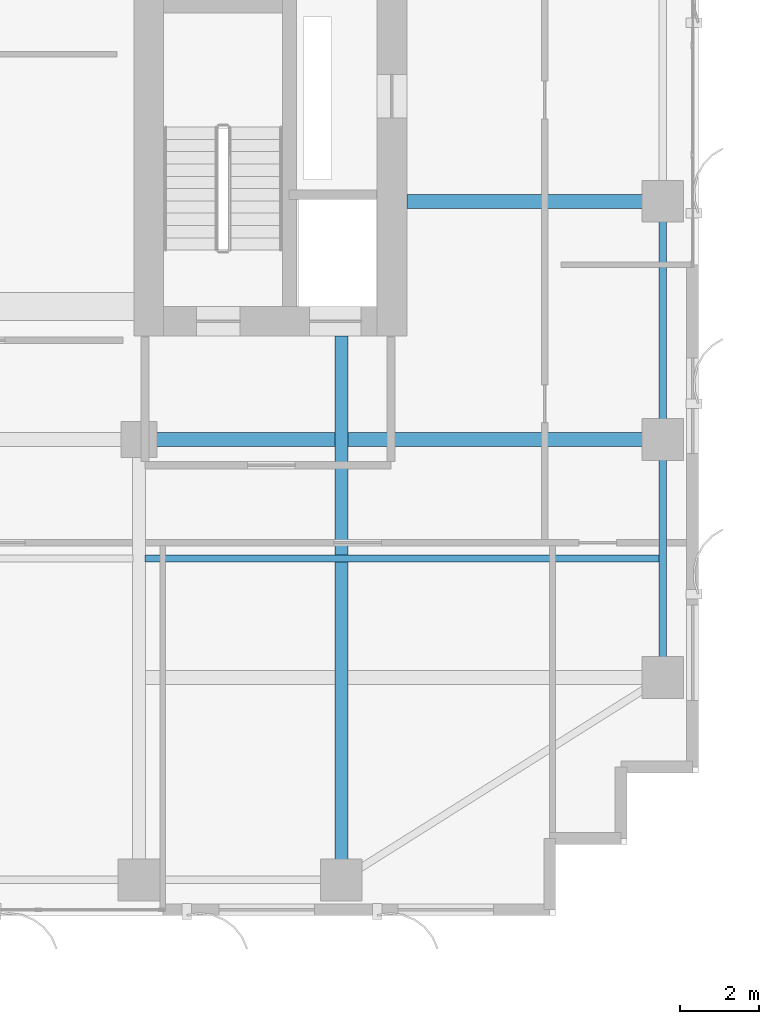
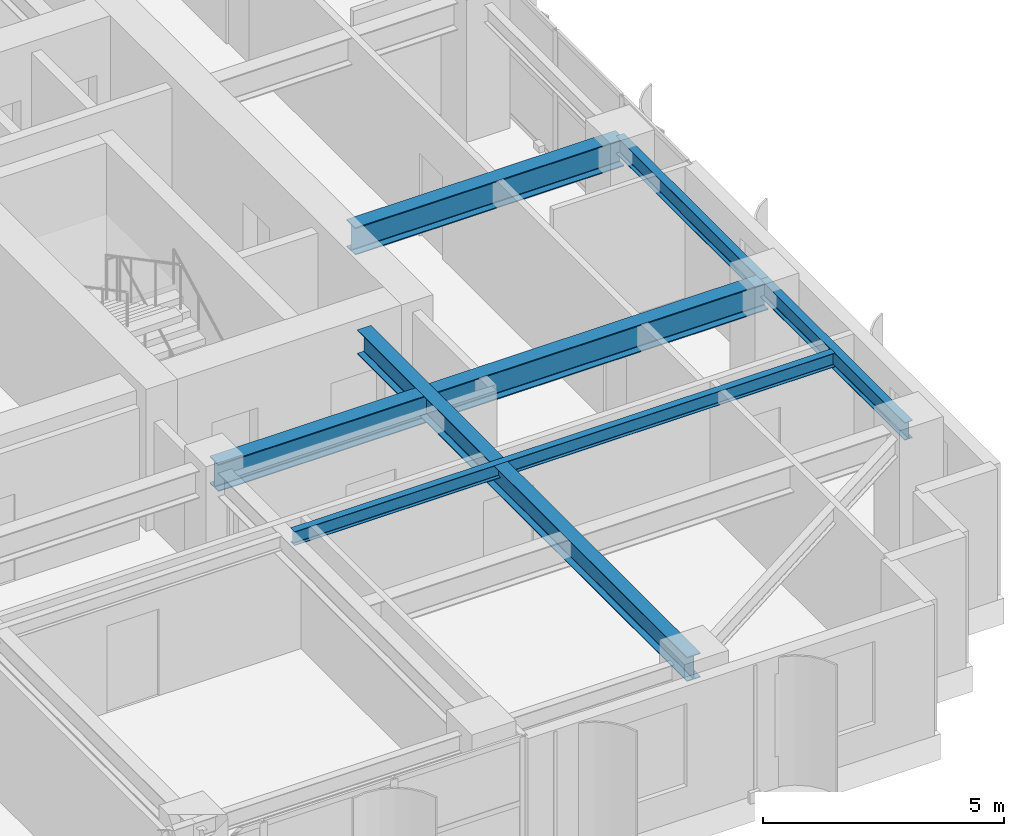
# One storey, part 10 of 23: 6 beams.
"""IFC4 building model written with IfcOpenShell, lengths in metres."""

from ifc_helpers import new_model, si_unit, direction, frame, origin, origin_2d, place, context, subcontext, project, spatial, i_section, extrude, source, transform, mapped, material, material_profile, profile_set, type_object, element, save


model = new_model("IFC4")

# Units and contexts
model_context = context("Model", 3, precision=1e-05, world=origin(), true_north=direction((0.0, 1.0)))
body_context = subcontext(model_context, "Body", "Model", "MODEL_VIEW")
ifc_project = project(units=[si_unit("LENGTHUNIT", "METRE"), si_unit("AREAUNIT", "SQUARE_METRE"), si_unit("VOLUMEUNIT", "CUBIC_METRE"), si_unit("PLANEANGLEUNIT", "RADIAN"), si_unit("MASSUNIT", "GRAM", prefix="KILO")], contexts=[model_context])

# Site, building, storey
site_placement = place(None, origin())
site = spatial("IfcSite", under=ifc_project, at=site_placement, CompositionType="ELEMENT")
building_placement = place(site_placement, origin())
building = spatial("IfcBuilding", under=site, at=building_placement, Name="Khoralis Quay Care Tower", CompositionType="ELEMENT")
storey_placement = place(building_placement, frame((0.0, 0.0, 83.699951171875)))
storey = spatial("IfcBuildingStorey", under=building, at=storey_placement, Name="L21", CompositionType="ELEMENT", Elevation=83.699951171875)

# Beams
ifc_material = material(Name="Steel S355", Category="steel")
ifc_material_profile_1 = material_profile(ifc_material, i_section(OverallWidth=0.18994140625, OverallDepth=0.449951171875, WebThickness=0.009521484375, FlangeThickness=0.0146484375, FilletRadius=0.02099609375, at=origin_2d()), Name="Steel S355")
ifc_profile_set_1 = profile_set([ifc_material_profile_1], Name="Steel S355")
beam_type_1 = type_object("IfcBeamType", Name="BM-IPE450", PredefinedType="SPANDREL", material=ifc_profile_set_1)
shared_shape_1 = source(origin(), body_context, "Body", "SweptSolid", [
    extrude(i_section(OverallWidth=0.18994140625, OverallDepth=0.449951171875, WebThickness=0.009521484375, FlangeThickness=0.0146484375, FilletRadius=0.02099609375, at=origin_2d()), origin(), (0.0, 0.0, 1.0), 6.0),
])
for number, where, z_axis, x_axis, name in (
    (1, (44.10009765625, 6.0, 3.114990234375), (0.0, 1.0, 0.0), (-1.0, 0.0, 0.0), "BM-TSP-L21-16"),
    (2, (44.10009765625, 12.0, 3.114990234375), (0.0, 1.0, 0.0), (-1.0, 0.0, 0.0), "BM-TSP-L21-17"),
):
    element("IfcBeam", number, at=place(storey_placement, frame(where, z_axis=z_axis, x_axis=x_axis)), inside=storey, type_object=beam_type_1, Name=name, PredefinedType="SPANDREL", context=body_context, shape_type="MappedRepresentation", body=[
        mapped(shared_shape_1, transform((0.0, 0.0, 0.0), scale=1.0)),
    ])
ifc_material_profile_2 = material_profile(ifc_material, i_section(OverallWidth=0.35498046875, OverallDepth=0.695068359375, WebThickness=0.015380859375, FlangeThickness=0.02490234375, FilletRadius=0.02001953125, at=origin_2d()), Name="Steel S355")
ifc_profile_set_2 = profile_set([ifc_material_profile_2], Name="Steel S355")
beam_type_2 = type_object("IfcBeamType", Name="BM-W690X217", PredefinedType="BEAM", material=ifc_profile_set_2)
shared_shape_2 = source(origin(), body_context, "Body", "SweptSolid", [
    extrude(i_section(OverallWidth=0.35498046875, OverallDepth=0.695068359375, WebThickness=0.015380859375, FlangeThickness=0.02490234375, FilletRadius=0.02001953125, at=origin_2d()), origin(), (0.0, 0.0, 1.0), 13.2001953125),
])
beam_1_placement = place(storey_placement, frame((30.89990234375, 12.0, 2.992431640625), z_axis=(1.0, 0.0, 0.0), x_axis=(0.0, 1.0, 0.0)))
element("IfcBeam", 3, at=beam_1_placement, inside=storey, type_object=beam_type_2, Name="BM-TGXE-L21-120", PredefinedType="BEAM", context=body_context, shape_type="MappedRepresentation", body=[
    mapped(shared_shape_2, transform((0.0, 0.0, 0.0), scale=1.0)),
])
shared_shape_3 = source(origin(), body_context, "Body", "SweptSolid", [
    extrude(i_section(OverallWidth=0.35498046875, OverallDepth=0.695068359375, WebThickness=0.015380859375, FlangeThickness=0.02490234375, FilletRadius=0.02001953125, at=origin_2d()), origin(), (0.0, 0.0, 1.0), 6.4521484375),
])
beam_2_placement = place(storey_placement, frame((37.64794921875, 18.0, 2.992431640625), z_axis=(1.0, 0.0, 0.0), x_axis=(0.0, 1.0, 0.0)))
element("IfcBeam", 4, at=beam_2_placement, inside=storey, type_object=beam_type_2, Name="BM-TGXE-L21-180", PredefinedType="BEAM", context=body_context, shape_type="MappedRepresentation", body=[
    mapped(shared_shape_3, transform((0.0, 0.0, 0.0), scale=1.0)),
])
ifc_material_profile_3 = material_profile(ifc_material, i_section(OverallWidth=0.324951171875, OverallDepth=0.615966796875, WebThickness=0.013916015625, FlangeThickness=0.021484375, FilletRadius=0.01806640625, at=origin_2d()), Name="Steel S355")
ifc_profile_set_3 = profile_set([ifc_material_profile_3], Name="Steel S355")
beam_type_3 = type_object("IfcBeamType", Name="BM-W610X174", PredefinedType="BEAM", material=ifc_profile_set_3)
shared_shape_4 = source(origin(), body_context, "Body", "SweptSolid", [
    extrude(i_section(OverallWidth=0.324951171875, OverallDepth=0.615966796875, WebThickness=0.013916015625, FlangeThickness=0.021484375, FilletRadius=0.01806640625, at=origin_2d()), origin(), (0.0, 0.0, 1.0), 13.7021484375),
])
beam_3_placement = place(storey_placement, frame((36.0, 0.89990234375, 3.031982421875), z_axis=(0.0, 1.0, 0.0), x_axis=(-1.0, 0.0, 0.0)))
element("IfcBeam", 5, at=beam_3_placement, inside=storey, type_object=beam_type_3, Name="BM-TGYS-L21-360", PredefinedType="BEAM", context=body_context, shape_type="MappedRepresentation", body=[
    mapped(shared_shape_4, transform((0.0, 0.0, 0.0), scale=1.0)),
])
ifc_material_profile_4 = material_profile(ifc_material, i_section(OverallWidth=0.1708984375, OverallDepth=0.35498046875, WebThickness=0.007080078125, FlangeThickness=0.01171875, FilletRadius=0.012939453125, at=origin_2d()), Name="Steel S355")
ifc_profile_set_4 = profile_set([ifc_material_profile_4], Name="Steel S355")
beam_type_4 = type_object("IfcBeamType", Name="BM-W360X51", PredefinedType="JOIST", material=ifc_profile_set_4)
shared_shape_5 = source(origin(), body_context, "Body", "SweptSolid", [
    extrude(i_section(OverallWidth=0.1708984375, OverallDepth=0.35498046875, WebThickness=0.007080078125, FlangeThickness=0.01171875, FilletRadius=0.012939453125, at=origin_2d()), origin(), (0.0, 0.0, 1.0), 12.968505859375),
])
beam_4_placement = place(storey_placement, frame((31.050537109375, 9.0, 3.16259765625), z_axis=(1.0, 0.0, 0.0), x_axis=(0.0, 1.0, 0.0)))
element("IfcBeam", 6, at=beam_4_placement, inside=storey, type_object=beam_type_4, Name="BM-TJS-L21-26", PredefinedType="JOIST", context=body_context, shape_type="MappedRepresentation", body=[
    mapped(shared_shape_5, transform((0.0, 0.0, 0.0), scale=1.0)),
])

save(model, "model.ifc")
